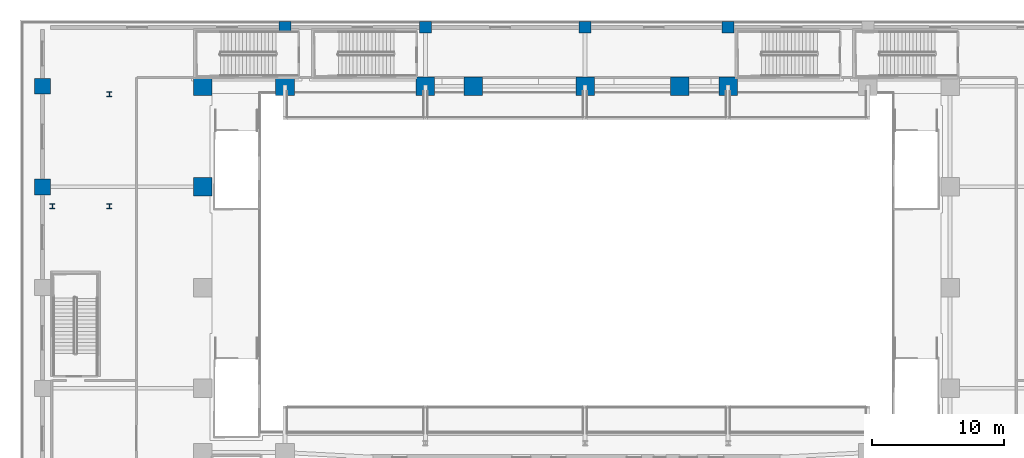
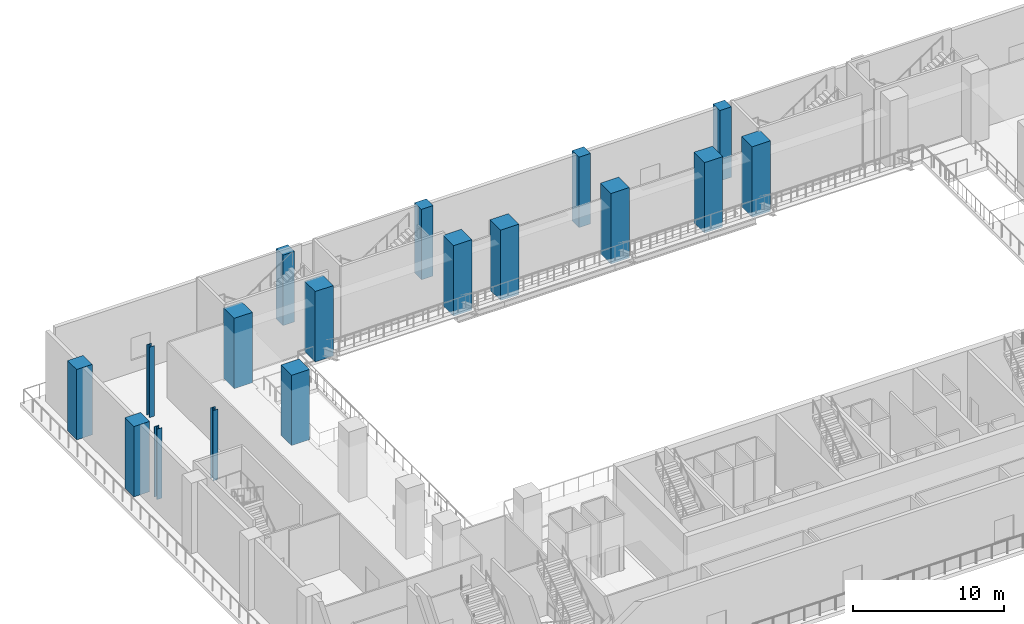
# One storey, part 3 of 28: 17 columns.
"""IFC4 building model written with IfcOpenShell, lengths in metres."""

import ifcopenshell
import ifcopenshell.guid

model = None  # the IFC model being written
_history = None  # IfcOwnerHistory: only IFC2X3 demands one
_inside = {}  # id of a spatial element -> (the spatial element, [elements in it])
_under = {}  # id of a project, library or spatial element -> (it, [spatial elements below it])
_declared = {}  # id of a project -> (the project, [libraries it declares])
_typed = {}  # id of a type object -> (the type object, [elements of that type])
_made_of = {}  # id of a material, layer set ... -> (it, [elements and type objects made of it])


def new_model(schema):
    """Start an empty IFC model of exactly this schema.

    Asked for "IFC4X3", IfcOpenShell would pick the latest addendum, in which some entities
    have other attributes; the version numbers below select the first issue.
    IFC2X3 requires an IfcOwnerHistory on every rooted entity: one is made here for all.
    """
    global model, _history
    if schema == "IFC4X3":
        model = ifcopenshell.file(schema_version=(4, 3, 0, 0))
    else:
        model = ifcopenshell.file(schema=schema)
    _inside.clear()
    _under.clear()
    _declared.clear()
    _typed.clear()
    _made_of.clear()
    _history = None
    if model.schema == "IFC2X3":
        org = make("IfcOrganization", Name="unknown")
        user = make(
            "IfcPersonAndOrganization",
            ThePerson=make("IfcPerson", FamilyName="unknown"),
            TheOrganization=org,
        )
        app = make(
            "IfcApplication",
            ApplicationDeveloper=org,
            Version="unknown",
            ApplicationFullName="unknown",
            ApplicationIdentifier="unknown",
        )
        _history = make(
            "IfcOwnerHistory",
            OwningUser=user,
            OwningApplication=app,
            ChangeAction="ADDED",
            CreationDate=0,
        )
    return model


def make(cls, **values):
    """One entity of the class cls with the attributes given. An attribute that is None is left unset."""
    return model.create_entity(
        cls, **{name: value for name, value in values.items() if value is not None}
    )


def rooted(cls, **values):
    """An entity with a GlobalId (a new one), such as an element, a storey or a relation."""
    return make(cls, GlobalId=ifcopenshell.guid.new(), OwnerHistory=_history, **values)


def si_unit(unit_type, name, prefix=None):
    """IfcSIUnit, for example si_unit("LENGTHUNIT", "METRE", prefix="MILLI")."""
    return make("IfcSIUnit", UnitType=unit_type, Prefix=prefix, Name=name)


def assignment(units):
    """IfcUnitAssignment: the units of a project."""
    return None if units is None else make("IfcUnitAssignment", Units=units)


def point(xyz):
    """IfcCartesianPoint."""
    return None if xyz is None else make("IfcCartesianPoint", Coordinates=xyz)


def direction(xyz):
    """IfcDirection."""
    return None if xyz is None else make("IfcDirection", DirectionRatios=xyz)


def frame(location, z_axis=None, x_axis=None):
    """IfcAxis2Placement3D, a coordinate frame: its origin and axes. An axis left out is left unset."""
    return make(
        "IfcAxis2Placement3D",
        Location=point(location),
        Axis=direction(z_axis),
        RefDirection=direction(x_axis),
    )


def frame_2d(location, x_axis=None):
    """IfcAxis2Placement2D, a coordinate frame in the plane: its origin and x axis."""
    return make(
        "IfcAxis2Placement2D", Location=point(location), RefDirection=direction(x_axis)
    )


def origin():
    """The frame at (0, 0, 0) with its axes left unset."""
    return frame((0.0, 0.0, 0.0))


def origin_2d():
    """The frame at (0, 0) in the plane with its x axis left unset."""
    return frame_2d((0.0, 0.0))


def place(relative_to, where):
    """IfcLocalPlacement: puts the frame where relative to a parent placement (None: the world)."""
    return make(
        "IfcLocalPlacement", PlacementRelTo=relative_to, RelativePlacement=where
    )


def context(
    kind, dimensions, precision=None, world=None, true_north=None, identifier=None
):
    """IfcGeometricRepresentationContext, for example the 3D "Model" context."""
    return make(
        "IfcGeometricRepresentationContext",
        ContextIdentifier=identifier,
        ContextType=kind,
        CoordinateSpaceDimension=dimensions,
        Precision=precision,
        WorldCoordinateSystem=world,
        TrueNorth=true_north,
    )


def subcontext(parent, identifier, kind, view, scale=None):
    """IfcGeometricRepresentationSubContext, for example "Body" below "Model"."""
    return make(
        "IfcGeometricRepresentationSubContext",
        ContextIdentifier=identifier,
        ContextType=kind,
        ParentContext=parent,
        TargetScale=scale,
        TargetView=view,
    )


def project(units=None, contexts=None):
    """IfcProject with its units and contexts."""
    return rooted(
        "IfcProject",
        Name="project",
        RepresentationContexts=contexts,
        UnitsInContext=assignment(units),
    )


def spatial(cls, under=None, at=None, **own):
    """A site, building, storey or space (cls), placed at a placement, below another one or the project."""
    s = rooted(cls, ObjectPlacement=at, **own)
    if under is not None:
        _under.setdefault(under.id(), (under, []))[1].append(s)
    return s


def profile(cls, at=None, kind="AREA", **sizes):
    """A parametric profile (cls). Its sizes go by their IFC names, for example OverallWidth=200.0."""
    return make(cls, ProfileType=kind, Position=at, **sizes)


def rectangle(**sizes):
    """IfcRectangleProfileDef."""
    return profile("IfcRectangleProfileDef", **sizes)


def i_section(**sizes):
    """IfcIShapeProfileDef."""
    return profile("IfcIShapeProfileDef", **sizes)


def extrude(swept, where, along, depth):
    """IfcExtrudedAreaSolid: the profile swept, set in the frame where, extruded along a direction by depth."""
    return make(
        "IfcExtrudedAreaSolid",
        SweptArea=swept,
        Position=where,
        ExtrudedDirection=direction(along),
        Depth=depth,
    )


def shape(context_of_items, identifier, shape_type, items):
    """IfcShapeRepresentation: the items that make up one representation, for example the "Body"."""
    return make(
        "IfcShapeRepresentation",
        ContextOfItems=context_of_items,
        RepresentationIdentifier=identifier,
        RepresentationType=shape_type,
        Items=items,
    )


def material(Name=None, Category=None):
    """IfcMaterial."""
    return make("IfcMaterial", Name=Name, Category=Category)


def material_profile(
    of_material, cross_section, Name=None, Category=None, Priority=None
):
    """IfcMaterialProfile: a cross section and its material."""
    return make(
        "IfcMaterialProfile",
        Name=Name,
        Material=of_material,
        Profile=cross_section,
        Priority=Priority,
        Category=Category,
    )


def profile_set(profiles, Name=None, composite=None):
    """IfcMaterialProfileSet."""
    return make(
        "IfcMaterialProfileSet",
        Name=Name,
        MaterialProfiles=profiles,
        CompositeProfile=composite,
    )


def made_of(thing, what):
    """Note that an element or type object is made of a material, layer set ...; save() writes the relation."""
    if what is not None:
        _made_of.setdefault(what.id(), (what, []))[1].append(thing)
    return thing


def type_object(cls, material=None, **own):
    """A type object (cls), such as IfcWallType, which elements share."""
    return made_of(rooted(cls, **own), material)


def element(
    cls,
    number,
    at=None,
    inside=None,
    cuts=None,
    type_object=None,
    material=None,
    context=None,
    identifier="Body",
    shape_type=None,
    held_by="IfcProductDefinitionShape",
    body=None,
    shapes=None,
    **own,
):
    """One element of the class cls, such as IfcWall. Its Tag is "e" and its number.

    at: its placement. inside: the storey or other place that contains it. cuts: it is an
    opening in that element (IfcRelVoidsElement). A single representation is given by context,
    identifier, shape_type and body (its items); several are given by shapes. held_by: the class
    of the entity that holds the representations. save() writes the other relations.
    """
    e = rooted(cls, Tag="e%d" % number, ObjectPlacement=at, **own)
    if body is not None:
        shapes = [shape(context, identifier, shape_type, body)]
    if shapes is not None:
        e.Representation = make(held_by, Representations=shapes)
    if inside is not None:
        _inside.setdefault(inside.id(), (inside, []))[1].append(e)
    if cuts is not None:
        rooted(
            "IfcRelVoidsElement", RelatingBuildingElement=cuts, RelatedOpeningElement=e
        )
    if type_object is not None:
        _typed.setdefault(type_object.id(), (type_object, []))[1].append(e)
    return made_of(e, material)


def aggregate(whole, parts):
    """IfcRelAggregates: a whole, such as a stair, and the parts it consists of."""
    return rooted("IfcRelAggregates", RelatingObject=whole, RelatedObjects=parts)


def save(model, path):
    """Write the relations noted so far, then the file.

    IfcRelAggregates (storeys below a building ...), IfcRelContainedInSpatialStructure (elements
    in a storey), IfcRelDefinesByType, IfcRelAssociatesMaterial and IfcRelDeclares: one each for
    every whole, place, type object, material and project.
    """
    for whole, parts in _under.values():
        aggregate(whole, parts)
    for where, things in _inside.values():
        rooted(
            "IfcRelContainedInSpatialStructure",
            RelatedElements=things,
            RelatingStructure=where,
        )
    for kind, things in _typed.values():
        rooted("IfcRelDefinesByType", RelatedObjects=things, RelatingType=kind)
    for what, things in _made_of.values():
        rooted("IfcRelAssociatesMaterial", RelatedObjects=things, RelatingMaterial=what)
    for by, libraries in _declared.values():
        rooted("IfcRelDeclares", RelatingContext=by, RelatedDefinitions=libraries)
    model.write(path)


model = new_model("IFC4")

# Units and contexts
model_context = context("Model", 3, precision=1e-05, world=origin(), true_north=direction((0.0, 1.0)))
body_context = subcontext(model_context, "Body", "Model", "MODEL_VIEW")
ifc_project = project(units=[si_unit("LENGTHUNIT", "METRE"), si_unit("AREAUNIT", "SQUARE_METRE"), si_unit("VOLUMEUNIT", "CUBIC_METRE"), si_unit("PLANEANGLEUNIT", "RADIAN"), si_unit("MASSUNIT", "GRAM", prefix="KILO")], contexts=[model_context])

# Site, building, storey
site_placement = place(None, origin())
site = spatial("IfcSite", under=ifc_project, at=site_placement, CompositionType="ELEMENT")
building_placement = place(site_placement, origin())
building = spatial("IfcBuilding", under=site, at=building_placement, Name="Ndaravel Arena Tower", CompositionType="ELEMENT")
storey_placement = place(building_placement, frame((0.0, 0.0, 18.0)))
storey = spatial("IfcBuildingStorey", under=building, at=storey_placement, Name="L03", CompositionType="ELEMENT", Elevation=18.0)

# Columns
ifc_material_1 = material(Name="Concrete C40/50", Category="concrete")
ifc_material_profile_1 = material_profile(ifc_material_1, rectangle(XDim=0.89990234375, YDim=0.89990234375, at=origin_2d()), Name="RC 900x900")
ifc_profile_set_1 = profile_set([ifc_material_profile_1], Name="Concrete C40/50")
column_type_1 = type_object("IfcColumnType", Name="COL-BSMT-RC900", PredefinedType="COLUMN", material=ifc_profile_set_1)
for number, where, z_axis, x_axis, name in (
    (1, (20.0, 47.449951171875, 0.0), (0.0, 0.0, 1.0), (1.0, 0.0, 0.0), "L03 North Concourse Column 1"),
    (2, (30.60009765625, 47.449951171875, 0.0), (0.0, 0.0, 1.0), (1.0, 0.0, 0.0), "L03 North Concourse Column 2"),
    (3, (42.64990234375, 47.449951171875, 0.0), (0.0, 0.0, 1.0), (1.0, 0.0, 0.0), "L03 North Concourse Column 3"),
    (4, (53.449951171875, 47.449951171875, 0.0), (0.0, 0.0, 1.0), (1.0, 0.0, 0.0), "L03 North Concourse Column 4"),
):
    element("IfcColumn", number, at=place(storey_placement, frame(where, z_axis=z_axis, x_axis=x_axis)), inside=storey, type_object=column_type_1, Name=name, PredefinedType="COLUMN", context=body_context, shape_type="SweptSolid", body=[
        extrude(rectangle(XDim=0.89990234375, YDim=0.89990234375, at=origin_2d()), origin(), (0.0, 0.0, 1.0), 5.699951171875),
    ])
ifc_material_2 = material(Name="Steel S355", Category="steel")
ifc_material_profile_2 = material_profile(ifc_material_2, i_section(OverallWidth=0.374755859375, OverallDepth=0.37451171875, WebThickness=0.0166015625, FlangeThickness=0.027099609375, FilletRadius=0.01513671875, at=origin_2d()), Name="UC 356x368x202")
ifc_profile_set_2 = profile_set([ifc_material_profile_2], Name="Steel S355")
column_type_2 = type_object("IfcColumnType", Name="COL-CRN-UC202", PredefinedType="COLUMN", material=ifc_profile_set_2)
for number, where, z_axis, x_axis, name in (
    (5, (2.449951171875, 33.949951171875, 0.0), (0.0, 0.0, 1.0), (1.0, 0.0, 0.0), "L03 Garden Stair ST-GDN-1 Pier 1.1"),
    (6, (6.75, 33.949951171875, 0.0), (0.0, 0.0, 1.0), (1.0, 0.0, 0.0), "L03 Garden Stair ST-GDN-1 Pier 2.1"),
    (7, (6.75, 42.39990234375, 0.0), (0.0, 0.0, 1.0), (1.0, 0.0, 0.0), "L03 Garden Stair ST-GDN-1 Pier 2.2"),
):
    element("IfcColumn", number, at=place(storey_placement, frame(where, z_axis=z_axis, x_axis=x_axis)), inside=storey, type_object=column_type_2, Name=name, PredefinedType="COLUMN", context=body_context, shape_type="SweptSolid", body=[
        extrude(i_section(OverallWidth=0.374755859375, OverallDepth=0.37451171875, WebThickness=0.0166015625, FlangeThickness=0.027099609375, FilletRadius=0.01513671875, at=origin_2d()), origin(), (0.0, 0.0, 1.0), 5.699951171875),
    ])
ifc_material_3 = material(Name="Concrete C60/75", Category="concrete")
ifc_material_profile_3 = material_profile(ifc_material_3, rectangle(XDim=1.199951171875, YDim=1.199951171875, at=origin_2d()), Name="RC 1200x1200")
ifc_profile_set_3 = profile_set([ifc_material_profile_3], Name="Concrete C60/75")
column_type_3 = type_object("IfcColumnType", Name="COL-MEGA-RC1200", PredefinedType="COLUMN", material=ifc_profile_set_3)
for number, where, z_axis, x_axis, name in (
    (8, (1.699951171875, 35.39990234375, 0.0), (0.0, 0.0, 1.0), (1.0, 0.0, 0.0), "L03 Perimeter Mega Column 05"),
    (9, (1.699951171875, 43.0, 0.0), (0.0, 0.0, 1.0), (1.0, 0.0, 0.0), "L03 Perimeter Mega Column 06"),
):
    element("IfcColumn", number, at=place(storey_placement, frame(where, z_axis=z_axis, x_axis=x_axis)), inside=storey, type_object=column_type_3, Name=name, PredefinedType="COLUMN", context=body_context, shape_type="SweptSolid", body=[
        extrude(rectangle(XDim=1.199951171875, YDim=1.199951171875, at=origin_2d()), origin(), (0.0, 0.0, 1.0), 5.699951171875),
    ])
ifc_material_4 = material(Name="Concrete C60/75", Category="concrete")
ifc_material_profile_4 = material_profile(ifc_material_4, rectangle(XDim=1.39990234375, YDim=1.39990234375, at=origin_2d()), Name="RC 1400x1400")
ifc_profile_set_4 = profile_set([ifc_material_profile_4], Name="Concrete C60/75")
column_type_4 = type_object("IfcColumnType", Name="COL-MEGA-RC1400", PredefinedType="COLUMN", material=ifc_profile_set_4)
for number, where, z_axis, x_axis, name in (
    (10, (13.800048828125, 35.39990234375, 0.0), (0.0, 0.0, 1.0), (1.0, 0.0, 0.0), "L03 Arena Ring Mega Column 04"),
    (11, (13.800048828125, 43.0, 0.0), (0.0, 0.0, 1.0), (1.0, 0.0, 0.0), "L03 Arena Ring Mega Column 05"),
    (12, (20.0, 43.0, 0.0), (0.0, 0.0, 1.0), (1.0, 0.0, 0.0), "L03 Arena Ring Mega Column 13"),
    (13, (30.60009765625, 43.0, 0.0), (0.0, 0.0, 1.0), (1.0, 0.0, 0.0), "L03 Arena Ring Mega Column 14"),
    (14, (34.199951171875, 43.0, 0.0), (0.0, 0.0, 1.0), (1.0, 0.0, 0.0), "L03 Arena Ring Mega Column 15"),
    (15, (42.64990234375, 43.0, 0.0), (0.0, 0.0, 1.0), (1.0, 0.0, 0.0), "L03 Arena Ring Mega Column 16"),
    (16, (49.800048828125, 43.0, 0.0), (0.0, 0.0, 1.0), (1.0, 0.0, 0.0), "L03 Arena Ring Mega Column 17"),
    (17, (53.449951171875, 43.0, 0.0), (0.0, 0.0, 1.0), (1.0, 0.0, 0.0), "L03 Arena Ring Mega Column 18"),
):
    element("IfcColumn", number, at=place(storey_placement, frame(where, z_axis=z_axis, x_axis=x_axis)), inside=storey, type_object=column_type_4, Name=name, PredefinedType="COLUMN", context=body_context, shape_type="SweptSolid", body=[
        extrude(rectangle(XDim=1.39990234375, YDim=1.39990234375, at=origin_2d()), origin(), (0.0, 0.0, 1.0), 5.699951171875),
    ])

save(model, "model.ifc")
